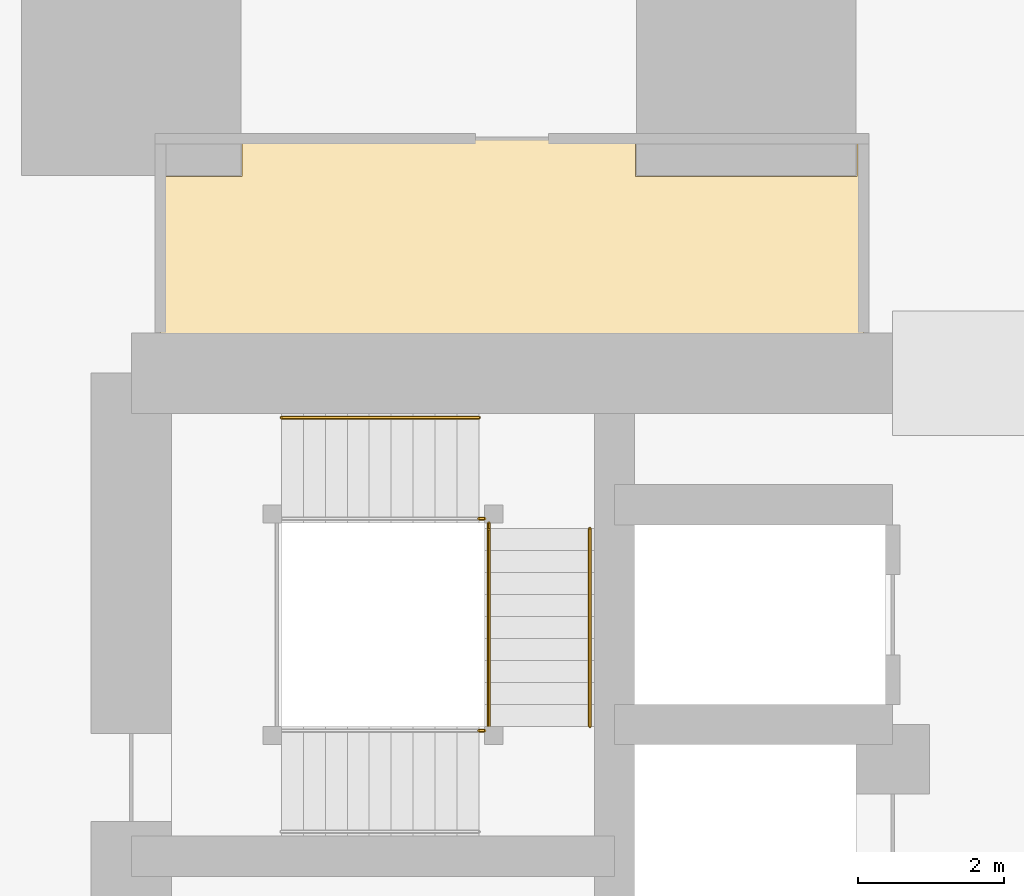
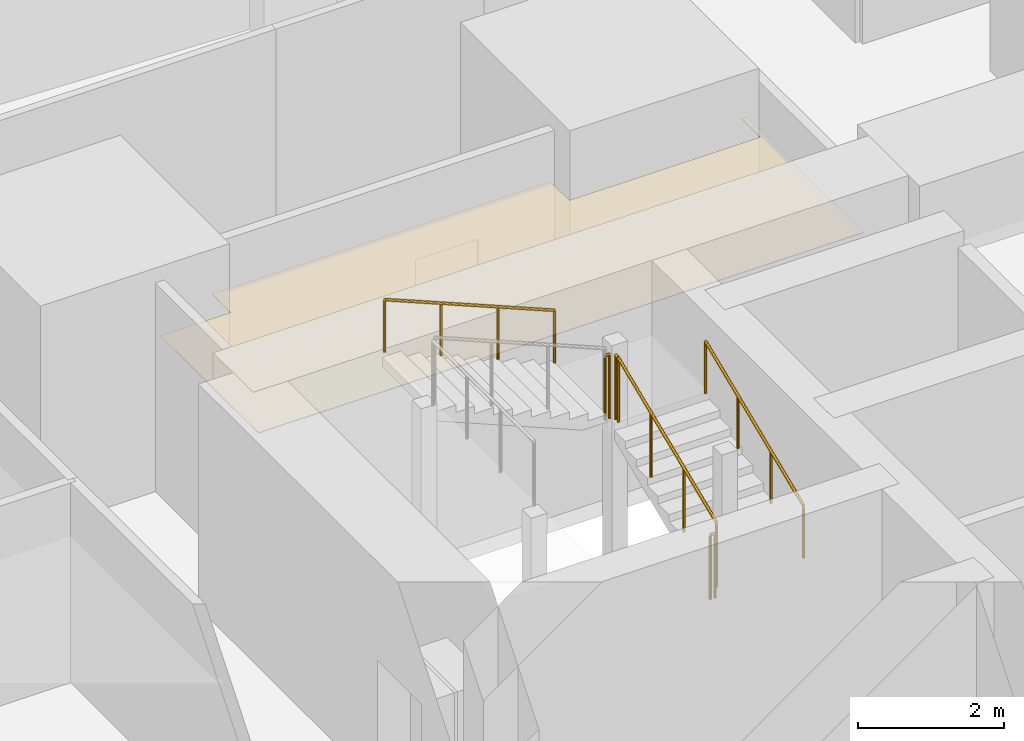
# One storey, part 42 of 45: 6 railings, 1 covering.
"""IFC4 building model written with IfcOpenShell, lengths in metres."""

import ifcopenshell
import ifcopenshell.guid

model = None  # the IFC model being written
_history = None  # IfcOwnerHistory: only IFC2X3 demands one
_inside = {}  # id of a spatial element -> (the spatial element, [elements in it])
_under = {}  # id of a project, library or spatial element -> (it, [spatial elements below it])
_declared = {}  # id of a project -> (the project, [libraries it declares])
_typed = {}  # id of a type object -> (the type object, [elements of that type])
_made_of = {}  # id of a material, layer set ... -> (it, [elements and type objects made of it])


def new_model(schema):
    """Start an empty IFC model of exactly this schema.

    Asked for "IFC4X3", IfcOpenShell would pick the latest addendum, in which some entities
    have other attributes; the version numbers below select the first issue.
    IFC2X3 requires an IfcOwnerHistory on every rooted entity: one is made here for all.
    """
    global model, _history
    if schema == "IFC4X3":
        model = ifcopenshell.file(schema_version=(4, 3, 0, 0))
    else:
        model = ifcopenshell.file(schema=schema)
    _inside.clear()
    _under.clear()
    _declared.clear()
    _typed.clear()
    _made_of.clear()
    _history = None
    if model.schema == "IFC2X3":
        org = make("IfcOrganization", Name="unknown")
        user = make(
            "IfcPersonAndOrganization",
            ThePerson=make("IfcPerson", FamilyName="unknown"),
            TheOrganization=org,
        )
        app = make(
            "IfcApplication",
            ApplicationDeveloper=org,
            Version="unknown",
            ApplicationFullName="unknown",
            ApplicationIdentifier="unknown",
        )
        _history = make(
            "IfcOwnerHistory",
            OwningUser=user,
            OwningApplication=app,
            ChangeAction="ADDED",
            CreationDate=0,
        )
    return model


def make(cls, **values):
    """One entity of the class cls with the attributes given. An attribute that is None is left unset."""
    return model.create_entity(
        cls, **{name: value for name, value in values.items() if value is not None}
    )


def rooted(cls, **values):
    """An entity with a GlobalId (a new one), such as an element, a storey or a relation."""
    return make(cls, GlobalId=ifcopenshell.guid.new(), OwnerHistory=_history, **values)


def si_unit(unit_type, name, prefix=None):
    """IfcSIUnit, for example si_unit("LENGTHUNIT", "METRE", prefix="MILLI")."""
    return make("IfcSIUnit", UnitType=unit_type, Prefix=prefix, Name=name)


def assignment(units):
    """IfcUnitAssignment: the units of a project."""
    return None if units is None else make("IfcUnitAssignment", Units=units)


def point(xyz):
    """IfcCartesianPoint."""
    return None if xyz is None else make("IfcCartesianPoint", Coordinates=xyz)


def direction(xyz):
    """IfcDirection."""
    return None if xyz is None else make("IfcDirection", DirectionRatios=xyz)


def frame(location, z_axis=None, x_axis=None):
    """IfcAxis2Placement3D, a coordinate frame: its origin and axes. An axis left out is left unset."""
    return make(
        "IfcAxis2Placement3D",
        Location=point(location),
        Axis=direction(z_axis),
        RefDirection=direction(x_axis),
    )


def frame_2d(location, x_axis=None):
    """IfcAxis2Placement2D, a coordinate frame in the plane: its origin and x axis."""
    return make(
        "IfcAxis2Placement2D", Location=point(location), RefDirection=direction(x_axis)
    )


def origin():
    """The frame at (0, 0, 0) with its axes left unset."""
    return frame((0.0, 0.0, 0.0))


def origin_2d():
    """The frame at (0, 0) in the plane with its x axis left unset."""
    return frame_2d((0.0, 0.0))


def place(relative_to, where):
    """IfcLocalPlacement: puts the frame where relative to a parent placement (None: the world)."""
    return make(
        "IfcLocalPlacement", PlacementRelTo=relative_to, RelativePlacement=where
    )


def context(
    kind, dimensions, precision=None, world=None, true_north=None, identifier=None
):
    """IfcGeometricRepresentationContext, for example the 3D "Model" context."""
    return make(
        "IfcGeometricRepresentationContext",
        ContextIdentifier=identifier,
        ContextType=kind,
        CoordinateSpaceDimension=dimensions,
        Precision=precision,
        WorldCoordinateSystem=world,
        TrueNorth=true_north,
    )


def subcontext(parent, identifier, kind, view, scale=None):
    """IfcGeometricRepresentationSubContext, for example "Body" below "Model"."""
    return make(
        "IfcGeometricRepresentationSubContext",
        ContextIdentifier=identifier,
        ContextType=kind,
        ParentContext=parent,
        TargetScale=scale,
        TargetView=view,
    )


def project(units=None, contexts=None):
    """IfcProject with its units and contexts."""
    return rooted(
        "IfcProject",
        Name="project",
        RepresentationContexts=contexts,
        UnitsInContext=assignment(units),
    )


def spatial(cls, under=None, at=None, **own):
    """A site, building, storey or space (cls), placed at a placement, below another one or the project."""
    s = rooted(cls, ObjectPlacement=at, **own)
    if under is not None:
        _under.setdefault(under.id(), (under, []))[1].append(s)
    return s


def polyline(points):
    """IfcPolyline through the points."""
    return make("IfcPolyline", Points=[point(p) for p in points])


def profile(cls, at=None, kind="AREA", **sizes):
    """A parametric profile (cls). Its sizes go by their IFC names, for example OverallWidth=200.0."""
    return make(cls, ProfileType=kind, Position=at, **sizes)


def circle(**sizes):
    """IfcCircleProfileDef."""
    return profile("IfcCircleProfileDef", **sizes)


def outline(outer, holes=None, kind="AREA"):
    """IfcArbitraryClosedProfileDef: a profile drawn as a closed curve; with holes, ...WithVoids."""
    if holes is None:
        return make("IfcArbitraryClosedProfileDef", ProfileType=kind, OuterCurve=outer)
    return make(
        "IfcArbitraryProfileDefWithVoids",
        ProfileType=kind,
        OuterCurve=outer,
        InnerCurves=holes,
    )


def extrude(swept, where, along, depth):
    """IfcExtrudedAreaSolid: the profile swept, set in the frame where, extruded along a direction by depth."""
    return make(
        "IfcExtrudedAreaSolid",
        SweptArea=swept,
        Position=where,
        ExtrudedDirection=direction(along),
        Depth=depth,
    )


def shape(context_of_items, identifier, shape_type, items):
    """IfcShapeRepresentation: the items that make up one representation, for example the "Body"."""
    return make(
        "IfcShapeRepresentation",
        ContextOfItems=context_of_items,
        RepresentationIdentifier=identifier,
        RepresentationType=shape_type,
        Items=items,
    )


def material(Name=None, Category=None):
    """IfcMaterial."""
    return make("IfcMaterial", Name=Name, Category=Category)


def layer(
    of_material, thickness, ventilated=None, Name=None, Category=None, Priority=None
):
    """IfcMaterialLayer: one layer of a wall or slab, of a material (None: an air gap)."""
    return make(
        "IfcMaterialLayer",
        Material=of_material,
        LayerThickness=thickness,
        IsVentilated=ventilated,
        Name=Name,
        Category=Category,
        Priority=Priority,
    )


def layer_set(layers, Name=None):
    """IfcMaterialLayerSet."""
    return make("IfcMaterialLayerSet", MaterialLayers=layers, LayerSetName=Name)


def made_of(thing, what):
    """Note that an element or type object is made of a material, layer set ...; save() writes the relation."""
    if what is not None:
        _made_of.setdefault(what.id(), (what, []))[1].append(thing)
    return thing


def type_object(cls, material=None, **own):
    """A type object (cls), such as IfcWallType, which elements share."""
    return made_of(rooted(cls, **own), material)


def element(
    cls,
    number,
    at=None,
    inside=None,
    cuts=None,
    type_object=None,
    material=None,
    context=None,
    identifier="Body",
    shape_type=None,
    held_by="IfcProductDefinitionShape",
    body=None,
    shapes=None,
    **own,
):
    """One element of the class cls, such as IfcWall. Its Tag is "e" and its number.

    at: its placement. inside: the storey or other place that contains it. cuts: it is an
    opening in that element (IfcRelVoidsElement). A single representation is given by context,
    identifier, shape_type and body (its items); several are given by shapes. held_by: the class
    of the entity that holds the representations. save() writes the other relations.
    """
    e = rooted(cls, Tag="e%d" % number, ObjectPlacement=at, **own)
    if body is not None:
        shapes = [shape(context, identifier, shape_type, body)]
    if shapes is not None:
        e.Representation = make(held_by, Representations=shapes)
    if inside is not None:
        _inside.setdefault(inside.id(), (inside, []))[1].append(e)
    if cuts is not None:
        rooted(
            "IfcRelVoidsElement", RelatingBuildingElement=cuts, RelatedOpeningElement=e
        )
    if type_object is not None:
        _typed.setdefault(type_object.id(), (type_object, []))[1].append(e)
    return made_of(e, material)


def aggregate(whole, parts):
    """IfcRelAggregates: a whole, such as a stair, and the parts it consists of."""
    return rooted("IfcRelAggregates", RelatingObject=whole, RelatedObjects=parts)


def save(model, path):
    """Write the relations noted so far, then the file.

    IfcRelAggregates (storeys below a building ...), IfcRelContainedInSpatialStructure (elements
    in a storey), IfcRelDefinesByType, IfcRelAssociatesMaterial and IfcRelDeclares: one each for
    every whole, place, type object, material and project.
    """
    for whole, parts in _under.values():
        aggregate(whole, parts)
    for where, things in _inside.values():
        rooted(
            "IfcRelContainedInSpatialStructure",
            RelatedElements=things,
            RelatingStructure=where,
        )
    for kind, things in _typed.values():
        rooted("IfcRelDefinesByType", RelatedObjects=things, RelatingType=kind)
    for what, things in _made_of.values():
        rooted("IfcRelAssociatesMaterial", RelatedObjects=things, RelatingMaterial=what)
    for by, libraries in _declared.values():
        rooted("IfcRelDeclares", RelatingContext=by, RelatedDefinitions=libraries)
    model.write(path)


model = new_model("IFC4")

# Units and contexts
model_context = context("Model", 3, precision=1e-05, world=origin(), true_north=direction((0.0, 1.0)))
body_context = subcontext(model_context, "Body", "Model", "MODEL_VIEW")
ifc_project = project(units=[si_unit("LENGTHUNIT", "METRE"), si_unit("AREAUNIT", "SQUARE_METRE"), si_unit("VOLUMEUNIT", "CUBIC_METRE"), si_unit("PLANEANGLEUNIT", "RADIAN"), si_unit("MASSUNIT", "GRAM", prefix="KILO")], contexts=[model_context])

# Site, building, storey
site_placement = place(None, origin())
site = spatial("IfcSite", under=ifc_project, at=site_placement, CompositionType="ELEMENT")
building_placement = place(site_placement, origin())
building = spatial("IfcBuilding", under=site, at=building_placement, Name="Rekha Terrace Tower", CompositionType="ELEMENT")
storey_placement = place(building_placement, frame((0.0, 0.0, 77.89990234375)))
storey = spatial("IfcBuildingStorey", under=building, at=storey_placement, Name="L19", CompositionType="ELEMENT", Elevation=77.89990234375)

# Covering
ifc_material_1 = material(Name="Fibre cement board", Category="finish")
ifc_layer = layer(ifc_material_1, 0.014892578125)
ifc_layer_set = layer_set([ifc_layer], Name="Fibre cement board")
covering_type = type_object("IfcCoveringType", Name="CL2 moisture-resistant board ceiling", PredefinedType="CEILING", material=ifc_layer_set)
covering_placement = place(storey_placement, frame((0.0, 0.0, 2.585205078125)))
element("IfcCovering", 1, at=covering_placement, inside=storey, type_object=covering_type, Name="Ceiling L19-WCF2", PredefinedType="CEILING", context=body_context, shape_type="SweptSolid", body=[
    extrude(outline(polyline([(26.715087890625, 48.885009765625), (25.60009765625, 48.885009765625), (25.60009765625, 46.199951171875), (35.199951171875, 46.199951171875), (35.199951171875, 49.39990234375), (35.114990234375, 49.39990234375), (35.114990234375, 48.885009765625), (32.0849609375, 48.885009765625), (32.0849609375, 49.39990234375), (26.715087890625, 49.39990234375), (26.715087890625, 48.885009765625)])), origin(), (0.0, 0.0, 1.0), 0.014892578125),
])

# Railings
ifc_material_2 = material(Name="Stainless steel balustrade", Category="steel")
railing_type_1 = type_object("IfcRailingType", Name="GR1 1100 stair guard", PredefinedType="GUARDRAIL", material=ifc_material_2)
railing_1_placement = place(storey_placement, frame((30.0849609375, 41.375, 1.375)))
element("IfcRailing", 2, at=railing_1_placement, inside=storey, type_object=railing_type_1, Name="Guard ST4 L19 flight 2", PredefinedType="GUARDRAIL", context=body_context, shape_type="SweptSolid", body=[
    extrude(circle(Radius=0.02392578125, at=origin_2d()), frame((0.0, 0.0, 1.076171875), z_axis=(0.0, 0.923074453586, 0.384621311341), x_axis=(-1.0, 0.0, 0.0)), (0.0, 0.0, 1.0), 2.925048828125),
    extrude(circle(Radius=0.02099609375, at=origin_2d()), origin(), (0.0, 0.0, 1.0), 1.052001953125),
    extrude(circle(Radius=0.02099609375, at=origin_2d()), frame((0.0, 0.89990234375, 0.375)), (0.0, 0.0, 1.0), 1.052001953125),
    extrude(circle(Radius=0.02099609375, at=origin_2d()), frame((0.0, 1.800048828125, 0.75)), (0.0, 0.0, 1.0), 1.052001953125),
    extrude(circle(Radius=0.02099609375, at=origin_2d()), frame((0.0, 2.699951171875, 1.125)), (0.0, 0.0, 1.0), 1.052001953125),
])
railing_2_placement = place(storey_placement, frame((29.949951171875, 41.31494140625, 1.25)))
element("IfcRailing", 3, at=railing_2_placement, inside=storey, type_object=railing_type_1, Name="Guard ST4 L19 landing 1", PredefinedType="GUARDRAIL", context=body_context, shape_type="SweptSolid", body=[
    extrude(circle(Radius=0.02392578125, at=origin_2d()), frame((0.0, 0.0, 1.076171875), z_axis=(1.0, 0.0, 0.0), x_axis=(0.0, 1.0, 0.0)), (0.0, 0.0, 1.0), 0.074951171875),
    extrude(circle(Radius=0.02099609375, at=origin_2d()), origin(), (0.0, 0.0, 1.0), 1.052001953125),
    extrude(circle(Radius=0.02099609375, at=origin_2d()), frame((0.074951171875, 0.0, 0.0)), (0.0, 0.0, 1.0), 1.052001953125),
])
railing_3_placement = place(storey_placement, frame((30.0849609375, 44.074951171875, 2.5)))
element("IfcRailing", 4, at=railing_3_placement, inside=storey, type_object=railing_type_1, Name="Guard ST4 L19 landing 2", PredefinedType="GUARDRAIL", context=body_context, shape_type="SweptSolid", body=[
    extrude(circle(Radius=0.02392578125, at=origin_2d()), frame((0.0, 0.0, 1.076171875), z_axis=(0.0, 1.0, 0.0), x_axis=(-1.0, 0.0, 0.0)), (0.0, 0.0, 1.0), 0.074951171875),
    extrude(circle(Radius=0.02099609375, at=origin_2d()), origin(), (0.0, 0.0, 1.0), 1.052001953125),
    extrude(circle(Radius=0.02099609375, at=origin_2d()), frame((0.0, 0.074951171875, 0.0)), (0.0, 0.0, 1.0), 1.052001953125),
])
railing_4_placement = place(storey_placement, frame((29.949951171875, 44.2099609375, 2.5)))
element("IfcRailing", 5, at=railing_4_placement, inside=storey, type_object=railing_type_1, Name="Guard ST4 L19 landing 3", PredefinedType="GUARDRAIL", context=body_context, shape_type="SweptSolid", body=[
    extrude(circle(Radius=0.02392578125, at=origin_2d()), frame((0.0, 0.0, 1.076171875), z_axis=(1.0, 0.0, 0.0), x_axis=(0.0, 1.0, 0.0)), (0.0, 0.0, 1.0), 0.074951171875),
    extrude(circle(Radius=0.02099609375, at=origin_2d()), origin(), (0.0, 0.0, 1.0), 1.052001953125),
    extrude(circle(Radius=0.02099609375, at=origin_2d()), frame((0.074951171875, 0.0, 0.0)), (0.0, 0.0, 1.0), 1.052001953125),
])
ifc_material_3 = material(Name="Stainless steel tube", Category="steel")
railing_type_2 = type_object("IfcRailingType", Name="HR1 900 stair handrail", PredefinedType="HANDRAIL", material=ifc_material_3)
railing_5_placement = place(storey_placement, frame((31.465087890625, 41.375, 1.375)))
element("IfcRailing", 6, at=railing_5_placement, inside=storey, type_object=railing_type_2, Name="Handrail ST4 L19 flight 2", PredefinedType="HANDRAIL", context=body_context, shape_type="SweptSolid", body=[
    extrude(circle(Radius=0.02392578125, at=origin_2d()), frame((0.0, 0.0, 0.8759765625), z_axis=(0.0, 0.923074453586, 0.384621311341), x_axis=(-1.0, 0.0, 0.0)), (0.0, 0.0, 1.0), 2.925048828125),
    extrude(circle(Radius=0.02099609375, at=origin_2d()), origin(), (0.0, 0.0, 1.0), 0.851806640625),
    extrude(circle(Radius=0.02099609375, at=origin_2d()), frame((0.0, 0.89990234375, 0.375)), (0.0, 0.0, 1.0), 0.851806640625),
    extrude(circle(Radius=0.02099609375, at=origin_2d()), frame((0.0, 1.800048828125, 0.75)), (0.0, 0.0, 1.0), 0.851806640625),
    extrude(circle(Radius=0.02099609375, at=origin_2d()), frame((0.0, 2.699951171875, 1.125)), (0.0, 0.0, 1.0), 0.851806640625),
])
railing_6_placement = place(storey_placement, frame((29.949951171875, 45.590087890625, 2.625)))
element("IfcRailing", 7, at=railing_6_placement, inside=storey, type_object=railing_type_2, Name="Handrail ST4 L19 flight 3", PredefinedType="HANDRAIL", context=body_context, shape_type="SweptSolid", body=[
    extrude(circle(Radius=0.02392578125, at=origin_2d()), frame((0.0, 0.0, 0.8759765625), z_axis=(-0.923074453586, 0.0, 0.384621311341), x_axis=(0.0, -1.0, 0.0)), (0.0, 0.0, 1.0), 2.925048828125),
    extrude(circle(Radius=0.02099609375, at=origin_2d()), origin(), (0.0, 0.0, 1.0), 0.851806640625),
    extrude(circle(Radius=0.02099609375, at=origin_2d()), frame((-0.89990234375, 0.0, 0.375)), (0.0, 0.0, 1.0), 0.851806640625),
    extrude(circle(Radius=0.02099609375, at=origin_2d()), frame((-1.800048828125, 0.0, 0.75)), (0.0, 0.0, 1.0), 0.851806640625),
    extrude(circle(Radius=0.02099609375, at=origin_2d()), frame((-2.699951171875, 0.0, 1.125)), (0.0, 0.0, 1.0), 0.851806640625),
])

save(model, "model.ifc")
